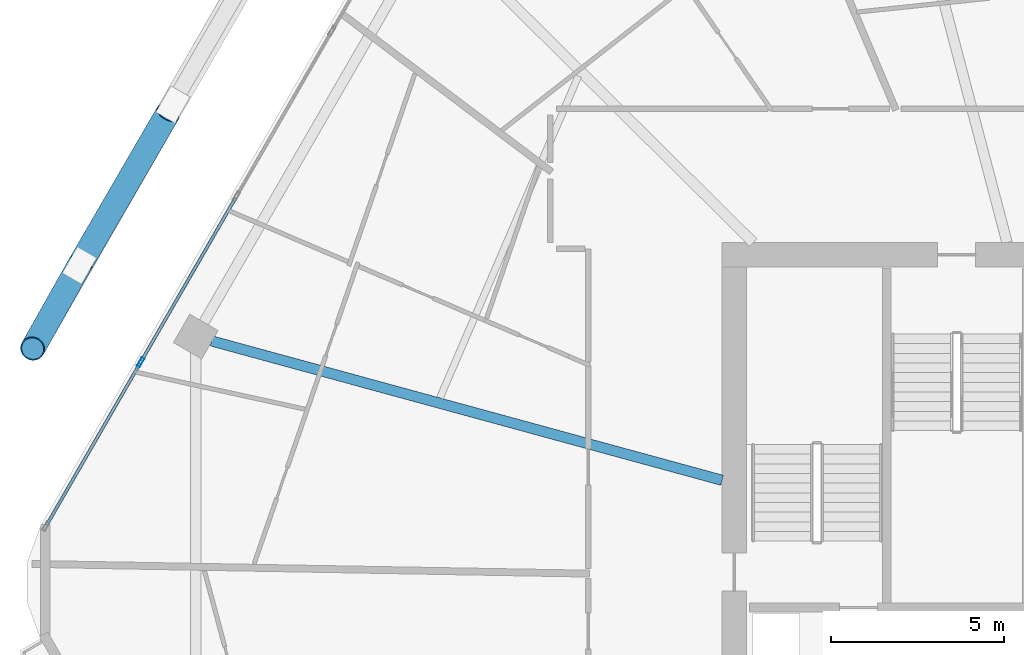
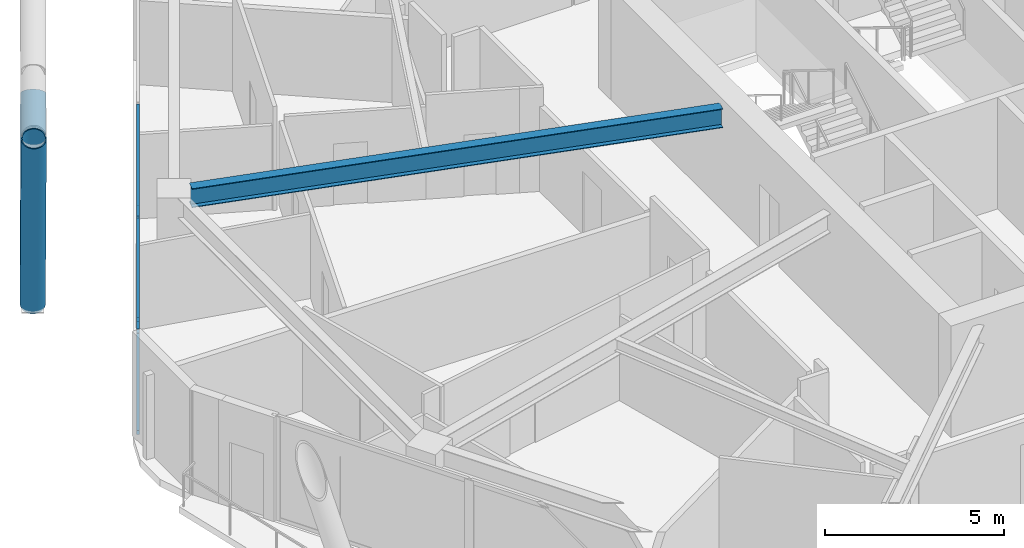
# One storey, part 10 of 27: 7 members, 1 beam, 1 element without a shape of its own.
"""IFC4 building model written with IfcOpenShell, lengths in metres."""

from ifc_helpers import new_model, si_unit, direction, frame, origin, origin_2d, place, context, subcontext, project, spatial, hollow_rectangle, hollow_circle, i_section, extrude, material, material_profile, profile_set, type_object, element, aggregate, save


model = new_model("IFC4")

# Units and contexts
model_context = context("Model", 3, precision=1e-05, world=origin(), true_north=direction((0.0, 1.0)))
body_context = subcontext(model_context, "Body", "Model", "MODEL_VIEW")
ifc_project = project(units=[si_unit("LENGTHUNIT", "METRE"), si_unit("AREAUNIT", "SQUARE_METRE"), si_unit("VOLUMEUNIT", "CUBIC_METRE"), si_unit("PLANEANGLEUNIT", "RADIAN"), si_unit("MASSUNIT", "GRAM", prefix="KILO")], contexts=[model_context])

# Site, building, storey
site_placement = place(None, origin())
site = spatial("IfcSite", under=ifc_project, at=site_placement, CompositionType="ELEMENT")
building_placement = place(site_placement, origin())
building = spatial("IfcBuilding", under=site, at=building_placement, Name="Zuhravey Tower", CompositionType="ELEMENT")
storey_placement = place(building_placement, frame((0.0, 0.0, 215.0)))
storey = spatial("IfcBuildingStorey", under=building, at=storey_placement, Name="L54", CompositionType="ELEMENT", Elevation=215.0)

# Curtain wall, members
ifc_material_1 = material(Name="Thermally broken anodised aluminium", Category="aluminium")
curtain_wall_type = type_object("IfcCurtainWallType", Name="Zone 1-2 Residential Curtain Wall CW3", PredefinedType="NOTDEFINED", material=ifc_material_1)
curtain_wall_placement = place(storey_placement, origin())
curtain_wall = element("IfcCurtainWall", 1, at=curtain_wall_placement, inside=storey, type_object=curtain_wall_type, Name="L54 CW3 CW-L54-F3-1", PredefinedType="NOTDEFINED")
ifc_material_2 = material(Name="Anodised aluminium", Category="aluminium")
ifc_material_profile_1 = material_profile(ifc_material_2, hollow_rectangle(XDim=0.090087890625, YDim=0.284912109375, WallThickness=0.0048828125, at=origin_2d()), Name="ALU-RHS-90x285x5")
ifc_profile_set_1 = profile_set([ifc_material_profile_1], Name="Anodised aluminium")
member_type_1 = type_object("IfcMemberType", Name="Curtain-Wall Mullion 90x180", PredefinedType="MULLION", material=ifc_profile_set_1)
member_1_placement = place(storey_placement, frame((8.300537109375, 38.38916015625, 0.0), z_axis=(0.0, 0.0, 1.0), x_axis=(-0.866025138215, 0.500000459979, 0.0)))
member_1 = element("IfcMember", 2, at=member_1_placement, type_object=member_type_1, Name="CW3 mullion 2", PredefinedType="MULLION", context=body_context, shape_type="SweptSolid", body=[
    extrude(hollow_rectangle(XDim=0.090087890625, YDim=0.284912109375, WallThickness=0.0048828125, at=origin_2d()), origin(), (0.0, 0.0, 1.0), 3.550048828125),
])
ifc_material_profile_2 = material_profile(ifc_material_2, hollow_rectangle(XDim=0.090087890625, YDim=0.14990234375, WallThickness=0.0048828125, at=origin_2d()), Name="ALU-RHS-90x150x5")
ifc_profile_set_2 = profile_set([ifc_material_profile_2], Name="Anodised aluminium")
member_type_2 = type_object("IfcMemberType", Name="Curtain-Wall Transom 90x150", PredefinedType="USERDEFINED", material=ifc_profile_set_2)
member_2_placement = place(storey_placement, frame((5.5732421875, 33.66552734375, 0.044921875), z_axis=(0.499993332629, 0.866029253159, 0.0), x_axis=(-0.866029253159, 0.499993332629, 0.0)))
member_2 = element("IfcMember", 3, at=member_2_placement, type_object=member_type_2, Name="CW3 transom 1.1", ObjectType="TRANSOM", PredefinedType="USERDEFINED", context=body_context, shape_type="SweptSolid", body=[
    extrude(hollow_rectangle(XDim=0.090087890625, YDim=0.14990234375, WallThickness=0.0048828125, at=origin_2d()), origin(), (0.0, 0.0, 1.0), 5.4091796875),
])
member_3_placement = place(storey_placement, frame((5.5732421875, 33.66552734375, 3.5048828125), z_axis=(0.499993332629, 0.866029253159, 0.0), x_axis=(-0.866029253159, 0.499993332629, 0.0)))
member_3 = element("IfcMember", 4, at=member_3_placement, type_object=member_type_2, Name="CW3 transom 1.2", ObjectType="TRANSOM", PredefinedType="USERDEFINED", context=body_context, shape_type="SweptSolid", body=[
    extrude(hollow_rectangle(XDim=0.090087890625, YDim=0.14990234375, WallThickness=0.0048828125, at=origin_2d()), origin(), (0.0, 0.0, 1.0), 5.4091796875),
])
member_4_placement = place(storey_placement, frame((8.322998046875, 38.427978515625, 0.044921875), z_axis=(0.49996138257, 0.86604769842, 0.0), x_axis=(-0.86604769842, 0.49996138257, 0.0)))
member_4 = element("IfcMember", 5, at=member_4_placement, type_object=member_type_2, Name="CW3 transom 2.1", ObjectType="TRANSOM", PredefinedType="USERDEFINED", context=body_context, shape_type="SweptSolid", body=[
    extrude(hollow_rectangle(XDim=0.090087890625, YDim=0.14990234375, WallThickness=0.0048828125, at=origin_2d()), origin(), (0.0, 0.0, 1.0), 5.45458984375),
])
member_5_placement = place(storey_placement, frame((8.322998046875, 38.427978515625, 3.5048828125), z_axis=(0.49996138257, 0.86604769842, 0.0), x_axis=(-0.86604769842, 0.49996138257, 0.0)))
member_5 = element("IfcMember", 6, at=member_5_placement, type_object=member_type_2, Name="CW3 transom 2.2", ObjectType="TRANSOM", PredefinedType="USERDEFINED", context=body_context, shape_type="SweptSolid", body=[
    extrude(hollow_rectangle(XDim=0.090087890625, YDim=0.14990234375, WallThickness=0.0048828125, at=origin_2d()), origin(), (0.0, 0.0, 1.0), 5.45458984375),
])
aggregate(curtain_wall, [member_1, member_2, member_3, member_4, member_5])

# Members
ifc_material_3 = material(Name="Steel SM460", Category="steel")
ifc_material_profile_3 = material_profile(ifc_material_3, hollow_circle(Radius=0.355712890625, WallThickness=0.031982421875, at=origin_2d()), Name="CHS-711.2x32")
ifc_profile_set_3 = profile_set([ifc_material_profile_3], Name="Steel SM460")
member_type_3 = type_object("IfcMemberType", Name="Exoskeleton Zone 2 Diagrid CHS711x32", PredefinedType="BRACE", material=ifc_profile_set_3)
member_6_placement = place(storey_placement, frame((6.5185546875, 41.182861328125, -0.444091796875), z_axis=(-0.168210915407, -0.298805683816, 0.939372264471), x_axis=(0.871410102193, -0.490555230118, 0.0)))
element("IfcMember", 7, at=member_6_placement, inside=storey, type_object=member_type_3, Name="L54 Face 3 Diagrid Brace 4", PredefinedType="BRACE", context=body_context, shape_type="SweptSolid", body=[
    extrude(hollow_circle(Radius=0.355712890625, WallThickness=0.031982421875, at=origin_2d()), origin(), (0.0, 0.0, 1.0), 8.048095703125),
])
member_7_placement = place(storey_placement, frame((6.541748046875, 41.22265625, -0.436767578125), z_axis=(0.410689024779, 0.706843105016, 0.575940404744), x_axis=(-0.864648681518, 0.502377007386, 0.0)))
element("IfcMember", 8, at=member_7_placement, inside=storey, type_object=member_type_3, Name="L54 Face 3 Split Diagrid Brace 3A", PredefinedType="BRACE", context=body_context, shape_type="SweptSolid", body=[
    extrude(hollow_circle(Radius=0.355712890625, WallThickness=0.031982421875, at=origin_2d()), origin(), (0.0, 0.0, 1.0), 6.205078125),
])

# Beam
ifc_material_4 = material(Name="Steel SM355", Category="steel")
ifc_material_profile_4 = material_profile(ifc_material_4, i_section(OverallWidth=0.300048828125, OverallDepth=0.64990234375, WebThickness=0.012939453125, FlangeThickness=0.02197265625, at=origin_2d()), Name="H-650x300x13x22")
ifc_profile_set_4 = profile_set([ifc_material_profile_4], Name="Steel SM355")
beam_type = type_object("IfcBeamType", Name="Radial Primary Girder H650x300", PredefinedType="BEAM", material=ifc_profile_set_4)
beam_placement = place(storey_placement, frame((25.14697265625, 34.96240234375, 3.22509765625), z_axis=(-0.964701703464, 0.263345065139, 0.0), x_axis=(-0.263345065139, -0.964701703464, 0.0)))
element("IfcBeam", 9, at=beam_placement, inside=storey, type_object=beam_type, Name="L54 RG2 BM-L54-RAD-06", PredefinedType="BEAM", context=body_context, shape_type="SweptSolid", body=[
    extrude(i_section(OverallWidth=0.300048828125, OverallDepth=0.64990234375, WebThickness=0.012939453125, FlangeThickness=0.02197265625, at=origin_2d()), origin(), (0.0, 0.0, 1.0), 15.334716796875),
])

save(model, "model.ifc")
